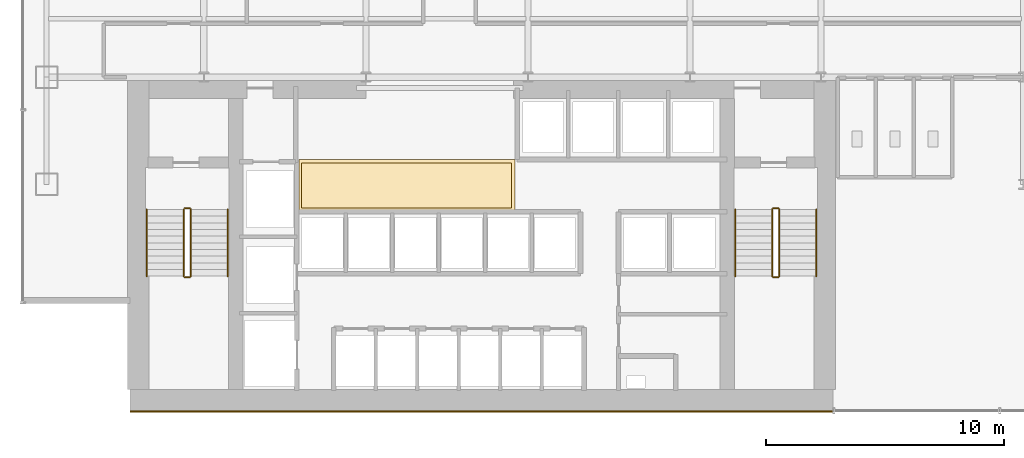
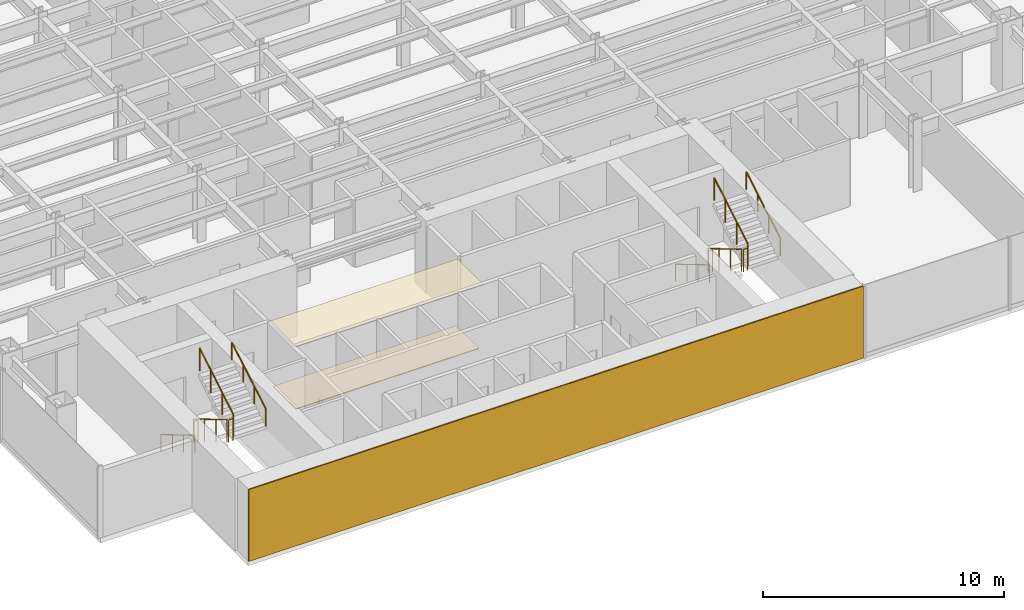
# One storey, part 20 of 22: 12 railings, 3 coverings.
"""IFC4 building model written with IfcOpenShell, lengths in metres."""

from ifc_helpers import new_model, si_unit, derived_unit, direction, frame, origin, origin_2d, place, context, subcontext, project, spatial, polyline, rectangle, circle, outline, extrude, source, transform, mapped, material, layer, layer_set, type_object, element, save


model = new_model("IFC4")

# Units and contexts
model_context = context("Model", 3, precision=1e-05, world=origin(), true_north=direction((0.0, 1.0)))
body_context = subcontext(model_context, "Body", "Model", "MODEL_VIEW")
ifc_project = project(units=[si_unit("LENGTHUNIT", "METRE"), si_unit("AREAUNIT", "SQUARE_METRE"), si_unit("VOLUMEUNIT", "CUBIC_METRE"), si_unit("PLANEANGLEUNIT", "RADIAN"), si_unit("MASSUNIT", "GRAM", prefix="KILO"), derived_unit("THERMALTRANSMITTANCEUNIT", [(si_unit("POWERUNIT", "WATT"), 1), (si_unit("LENGTHUNIT", "METRE"), -2), (si_unit("THERMODYNAMICTEMPERATUREUNIT", "KELVIN"), -1)])], contexts=[model_context])

# Site, building, storey
site_placement = place(None, origin())
site = spatial("IfcSite", under=ifc_project, at=site_placement, CompositionType="ELEMENT")
building_placement = place(site_placement, origin())
building = spatial("IfcBuilding", under=site, at=building_placement, Name="Skarnbrae Concourse Arena and Tower", CompositionType="ELEMENT")
storey_placement = place(building_placement, frame((0.0, 0.0, 39.800048828125)))
storey = spatial("IfcBuildingStorey", under=building, at=storey_placement, Name="L08", CompositionType="ELEMENT", Elevation=39.800048828125)

# Coverings
ifc_material_1 = material(Name="Mineral fibre acoustic ceiling tile", Category="other")
ifc_layer_1 = layer(ifc_material_1, 0.0400390625)
ifc_layer_set_1 = layer_set([ifc_layer_1], Name="Mineral fibre acoustic ceiling tile")
covering_type_1 = type_object("IfcCoveringType", Name="COV-CEIL-ACOUSTIC", PredefinedType="CEILING", material=ifc_layer_set_1)
covering_1_placement = place(storey_placement, frame((0.0, 0.0, 3.239990234375)))
element("IfcCovering", 1, at=covering_1_placement, inside=storey, type_object=covering_type_1, Name="L08 Lift lobby acoustic ceiling", PredefinedType="CEILING", context=body_context, shape_type="SweptSolid", body=[
    extrude(outline(polyline([(11.60009765625, 8.39990234375), (20.64990234375, 8.39990234375), (20.64990234375, 10.550048828125), (11.60009765625, 10.550048828125), (11.60009765625, 8.39990234375)])), origin(), (0.0, 0.0, 1.0), 0.0400390625),
])
ifc_material_2 = material(Name="Polished granite terrazzo flooring", Category="masonry")
ifc_layer_2 = layer(ifc_material_2, 0.0400390625)
ifc_layer_set_2 = layer_set([ifc_layer_2], Name="Polished granite terrazzo flooring")
covering_type_2 = type_object("IfcCoveringType", Name="COV-FLOOR-TERRAZZO", PredefinedType="FLOORING", material=ifc_layer_set_2)
covering_2_placement = place(storey_placement, origin())
element("IfcCovering", 2, at=covering_2_placement, inside=storey, type_object=covering_type_2, Name="L08 Lift lobby terrazzo flooring", PredefinedType="FLOORING", context=body_context, shape_type="SweptSolid", body=[
    extrude(outline(polyline([(11.699951171875, 8.5), (20.5, 8.5), (20.5, 10.39990234375), (11.699951171875, 10.39990234375), (11.699951171875, 8.5)])), origin(), (0.0, 0.0, 1.0), 0.0400390625),
])

# Railings
ifc_material_3 = material(Name="Steel CSA G40.21 350W", Category="steel")
railing_type_1 = type_object("IfcRailingType", Name="RAIL-HANDRAIL-900", PredefinedType="HANDRAIL", material=ifc_material_3)
railing_1_placement = place(storey_placement, frame((5.199951171875, 8.449951171875, 0.165771484375)))
element("IfcRailing", 3, at=railing_1_placement, inside=storey, type_object=railing_type_1, Name="L08 ST-1 stair handrail 1", PredefinedType="HANDRAIL", context=body_context, shape_type="SweptSolid", body=[
    extrude(circle(Radius=0.02392578125, at=origin_2d()), frame((0.0, 0.0, 0.8759765625), z_axis=(0.0, -0.860306154799, 0.50977771628), x_axis=(1.0, 0.0, 0.0)), (0.0, 0.0, 1.0), 3.254638671875),
    extrude(circle(Radius=0.02099609375, at=origin_2d()), origin(), (0.0, 0.0, 1.0), 0.851806640625),
    extrude(circle(Radius=0.02099609375, at=origin_2d()), frame((0.0, -0.933349609375, 0.552978515625)), (0.0, 0.0, 1.0), 0.851806640625),
    extrude(circle(Radius=0.02099609375, at=origin_2d()), frame((0.0, -1.86669921875, 1.106201171875)), (0.0, 0.0, 1.0), 0.851806640625),
    extrude(circle(Radius=0.02099609375, at=origin_2d()), frame((0.0, -2.800048828125, 1.6591796875)), (0.0, 0.0, 1.0), 0.851806640625),
])
railing_2_placement = place(storey_placement, frame((8.60009765625, 5.64990234375, 1.990966796875)))
element("IfcRailing", 4, at=railing_2_placement, inside=storey, type_object=railing_type_1, Name="L08 ST-1 stair handrail 2", PredefinedType="HANDRAIL", context=body_context, shape_type="SweptSolid", body=[
    extrude(circle(Radius=0.02392578125, at=origin_2d()), frame((0.0, 0.0, 0.8759765625), z_axis=(0.0, 0.860339051648, 0.50972219513), x_axis=(-1.0, 0.0, 0.0)), (0.0, 0.0, 1.0), 3.254638671875),
    extrude(circle(Radius=0.02099609375, at=origin_2d()), origin(), (0.0, 0.0, 1.0), 0.851806640625),
    extrude(circle(Radius=0.02099609375, at=origin_2d()), frame((0.0, 0.933349609375, 0.552978515625)), (0.0, 0.0, 1.0), 0.851806640625),
    extrude(circle(Radius=0.02099609375, at=origin_2d()), frame((0.0, 1.86669921875, 1.10595703125)), (0.0, 0.0, 1.0), 0.851806640625),
    extrude(circle(Radius=0.02099609375, at=origin_2d()), frame((0.0, 2.800048828125, 1.658935546875)), (0.0, 0.0, 1.0), 0.851806640625),
])
railing_3_placement = place(storey_placement, frame((29.89990234375, 8.449951171875, 0.165771484375)))
element("IfcRailing", 5, at=railing_3_placement, inside=storey, type_object=railing_type_1, Name="L08 ST-2 stair handrail 1", PredefinedType="HANDRAIL", context=body_context, shape_type="SweptSolid", body=[
    extrude(circle(Radius=0.02392578125, at=origin_2d()), frame((0.0, 0.0, 0.8759765625), z_axis=(0.0, -0.860306154799, 0.50977771628), x_axis=(1.0, 0.0, 0.0)), (0.0, 0.0, 1.0), 3.254638671875),
    extrude(circle(Radius=0.02099609375, at=origin_2d()), origin(), (0.0, 0.0, 1.0), 0.851806640625),
    extrude(circle(Radius=0.02099609375, at=origin_2d()), frame((0.0, -0.933349609375, 0.552978515625)), (0.0, 0.0, 1.0), 0.851806640625),
    extrude(circle(Radius=0.02099609375, at=origin_2d()), frame((0.0, -1.86669921875, 1.106201171875)), (0.0, 0.0, 1.0), 0.851806640625),
    extrude(circle(Radius=0.02099609375, at=origin_2d()), frame((0.0, -2.800048828125, 1.6591796875)), (0.0, 0.0, 1.0), 0.851806640625),
])
railing_4_placement = place(storey_placement, frame((33.300048828125, 5.64990234375, 1.990966796875)))
element("IfcRailing", 6, at=railing_4_placement, inside=storey, type_object=railing_type_1, Name="L08 ST-2 stair handrail 2", PredefinedType="HANDRAIL", context=body_context, shape_type="SweptSolid", body=[
    extrude(circle(Radius=0.02392578125, at=origin_2d()), frame((0.0, 0.0, 0.8759765625), z_axis=(0.0, 0.860339051648, 0.50972219513), x_axis=(-1.0, 0.0, 0.0)), (0.0, 0.0, 1.0), 3.254638671875),
    extrude(circle(Radius=0.02099609375, at=origin_2d()), origin(), (0.0, 0.0, 1.0), 0.851806640625),
    extrude(circle(Radius=0.02099609375, at=origin_2d()), frame((0.0, 0.933349609375, 0.552978515625)), (0.0, 0.0, 1.0), 0.851806640625),
    extrude(circle(Radius=0.02099609375, at=origin_2d()), frame((0.0, 1.86669921875, 1.10595703125)), (0.0, 0.0, 1.0), 0.851806640625),
    extrude(circle(Radius=0.02099609375, at=origin_2d()), frame((0.0, 2.800048828125, 1.658935546875)), (0.0, 0.0, 1.0), 0.851806640625),
])
railing_type_2 = type_object("IfcRailingType", Name="RAIL-STAIR-GUARD-1150", PredefinedType="GUARDRAIL", material=ifc_material_3)
railing_5_placement = place(storey_placement, frame((6.75, 8.449951171875, 0.165771484375)))
element("IfcRailing", 7, at=railing_5_placement, inside=storey, type_object=railing_type_2, Name="L08 ST-1 stair guard 1", PredefinedType="GUARDRAIL", context=body_context, shape_type="SweptSolid", body=[
    extrude(circle(Radius=0.02392578125, at=origin_2d()), frame((0.0, 0.0, 1.1259765625), z_axis=(0.0, -0.860306154799, 0.50977771628), x_axis=(1.0, 0.0, 0.0)), (0.0, 0.0, 1.0), 3.254638671875),
    extrude(circle(Radius=0.02099609375, at=origin_2d()), origin(), (0.0, 0.0, 1.0), 1.101806640625),
    extrude(circle(Radius=0.02099609375, at=origin_2d()), frame((0.0, -0.933349609375, 0.552978515625)), (0.0, 0.0, 1.0), 1.101806640625),
    extrude(circle(Radius=0.02099609375, at=origin_2d()), frame((0.0, -1.86669921875, 1.106201171875)), (0.0, 0.0, 1.0), 1.101806640625),
    extrude(circle(Radius=0.02099609375, at=origin_2d()), frame((0.0, -2.800048828125, 1.6591796875)), (0.0, 0.0, 1.0), 1.101806640625),
])
railing_6_placement = place(storey_placement, frame((6.800048828125, 5.60009765625, 1.824951171875)))
element("IfcRailing", 8, at=railing_6_placement, inside=storey, type_object=railing_type_2, Name="L08 ST-1 stair guard 2", PredefinedType="GUARDRAIL", context=body_context, shape_type="SweptSolid", body=[
    extrude(circle(Radius=0.02392578125, at=origin_2d()), frame((0.0, 0.0, 1.1259765625), z_axis=(1.0, 0.0, 0.0), x_axis=(0.0, 1.0, 0.0)), (0.0, 0.0, 1.0), 0.199951171875),
    extrude(circle(Radius=0.02099609375, at=origin_2d()), origin(), (0.0, 0.0, 1.0), 1.101806640625),
    extrude(circle(Radius=0.02099609375, at=origin_2d()), frame((0.199951171875, 0.0, 0.0)), (0.0, 0.0, 1.0), 1.101806640625),
])
railing_7_placement = place(storey_placement, frame((7.050048828125, 5.64990234375, 1.990966796875)))
element("IfcRailing", 9, at=railing_7_placement, inside=storey, type_object=railing_type_2, Name="L08 ST-1 stair guard 3", PredefinedType="GUARDRAIL", context=body_context, shape_type="SweptSolid", body=[
    extrude(circle(Radius=0.02392578125, at=origin_2d()), frame((0.0, 0.0, 1.1259765625), z_axis=(0.0, 0.860339051648, 0.50972219513), x_axis=(-1.0, 0.0, 0.0)), (0.0, 0.0, 1.0), 3.254638671875),
    extrude(circle(Radius=0.02099609375, at=origin_2d()), origin(), (0.0, 0.0, 1.0), 1.101806640625),
    extrude(circle(Radius=0.02099609375, at=origin_2d()), frame((0.0, 0.933349609375, 0.552978515625)), (0.0, 0.0, 1.0), 1.101806640625),
    extrude(circle(Radius=0.02099609375, at=origin_2d()), frame((0.0, 1.86669921875, 1.10595703125)), (0.0, 0.0, 1.0), 1.101806640625),
    extrude(circle(Radius=0.02099609375, at=origin_2d()), frame((0.0, 2.800048828125, 1.658935546875)), (0.0, 0.0, 1.0), 1.101806640625),
])
railing_8_placement = place(storey_placement, frame((6.800048828125, 8.5, 0.0)))
element("IfcRailing", 10, at=railing_8_placement, inside=storey, type_object=railing_type_2, Name="L08 ST-1 stair guard 4", PredefinedType="GUARDRAIL", context=body_context, shape_type="SweptSolid", body=[
    extrude(circle(Radius=0.02392578125, at=origin_2d()), frame((0.0, 0.0, 1.1259765625), z_axis=(1.0, 0.0, 0.0), x_axis=(0.0, 1.0, 0.0)), (0.0, 0.0, 1.0), 0.199951171875),
    extrude(circle(Radius=0.02099609375, at=origin_2d()), origin(), (0.0, 0.0, 1.0), 1.101806640625),
    extrude(circle(Radius=0.02099609375, at=origin_2d()), frame((0.199951171875, 0.0, 0.0)), (0.0, 0.0, 1.0), 1.101806640625),
])
railing_9_placement = place(storey_placement, frame((31.449951171875, 8.449951171875, 0.165771484375)))
element("IfcRailing", 11, at=railing_9_placement, inside=storey, type_object=railing_type_2, Name="L08 ST-2 stair guard 1", PredefinedType="GUARDRAIL", context=body_context, shape_type="SweptSolid", body=[
    extrude(circle(Radius=0.02392578125, at=origin_2d()), frame((0.0, 0.0, 1.1259765625), z_axis=(0.0, -0.860306154799, 0.50977771628), x_axis=(1.0, 0.0, 0.0)), (0.0, 0.0, 1.0), 3.254638671875),
    extrude(circle(Radius=0.02099609375, at=origin_2d()), origin(), (0.0, 0.0, 1.0), 1.101806640625),
    extrude(circle(Radius=0.02099609375, at=origin_2d()), frame((0.0, -0.933349609375, 0.552978515625)), (0.0, 0.0, 1.0), 1.101806640625),
    extrude(circle(Radius=0.02099609375, at=origin_2d()), frame((0.0, -1.86669921875, 1.106201171875)), (0.0, 0.0, 1.0), 1.101806640625),
    extrude(circle(Radius=0.02099609375, at=origin_2d()), frame((0.0, -2.800048828125, 1.6591796875)), (0.0, 0.0, 1.0), 1.101806640625),
])
railing_10_placement = place(storey_placement, frame((31.5, 5.60009765625, 1.824951171875)))
element("IfcRailing", 12, at=railing_10_placement, inside=storey, type_object=railing_type_2, Name="L08 ST-2 stair guard 2", PredefinedType="GUARDRAIL", context=body_context, shape_type="SweptSolid", body=[
    extrude(circle(Radius=0.02392578125, at=origin_2d()), frame((0.0, 0.0, 1.1259765625), z_axis=(1.0, 0.0, 0.0), x_axis=(0.0, 1.0, 0.0)), (0.0, 0.0, 1.0), 0.199951171875),
    extrude(circle(Radius=0.02099609375, at=origin_2d()), origin(), (0.0, 0.0, 1.0), 1.101806640625),
    extrude(circle(Radius=0.02099609375, at=origin_2d()), frame((0.199951171875, 0.0, 0.0)), (0.0, 0.0, 1.0), 1.101806640625),
])
railing_11_placement = place(storey_placement, frame((31.75, 5.64990234375, 1.990966796875)))
element("IfcRailing", 13, at=railing_11_placement, inside=storey, type_object=railing_type_2, Name="L08 ST-2 stair guard 3", PredefinedType="GUARDRAIL", context=body_context, shape_type="SweptSolid", body=[
    extrude(circle(Radius=0.02392578125, at=origin_2d()), frame((0.0, 0.0, 1.1259765625), z_axis=(0.0, 0.860339051648, 0.50972219513), x_axis=(-1.0, 0.0, 0.0)), (0.0, 0.0, 1.0), 3.254638671875),
    extrude(circle(Radius=0.02099609375, at=origin_2d()), origin(), (0.0, 0.0, 1.0), 1.101806640625),
    extrude(circle(Radius=0.02099609375, at=origin_2d()), frame((0.0, 0.933349609375, 0.552978515625)), (0.0, 0.0, 1.0), 1.101806640625),
    extrude(circle(Radius=0.02099609375, at=origin_2d()), frame((0.0, 1.86669921875, 1.10595703125)), (0.0, 0.0, 1.0), 1.101806640625),
    extrude(circle(Radius=0.02099609375, at=origin_2d()), frame((0.0, 2.800048828125, 1.658935546875)), (0.0, 0.0, 1.0), 1.101806640625),
])
railing_12_placement = place(storey_placement, frame((31.5, 8.5, 0.0)))
element("IfcRailing", 14, at=railing_12_placement, inside=storey, type_object=railing_type_2, Name="L08 ST-2 stair guard 4", PredefinedType="GUARDRAIL", context=body_context, shape_type="SweptSolid", body=[
    extrude(circle(Radius=0.02392578125, at=origin_2d()), frame((0.0, 0.0, 1.1259765625), z_axis=(1.0, 0.0, 0.0), x_axis=(0.0, 1.0, 0.0)), (0.0, 0.0, 1.0), 0.199951171875),
    extrude(circle(Radius=0.02099609375, at=origin_2d()), origin(), (0.0, 0.0, 1.0), 1.101806640625),
    extrude(circle(Radius=0.02099609375, at=origin_2d()), frame((0.199951171875, 0.0, 0.0)), (0.0, 0.0, 1.0), 1.101806640625),
])

# Covering
ifc_material_4 = material(Name="Bronze anodised aluminium 6063-T6", Category="aluminium")
ifc_layer_3 = layer(ifc_material_4, 0.06005859375)
ifc_layer_set_3 = layer_set([ifc_layer_3], Name="Bronze anodised aluminium 6063-T6")
covering_type_3 = type_object("IfcCoveringType", Name="COV-CLAD-BRONZE-60", PredefinedType="CLADDING", material=ifc_layer_set_3)
shared_shape = source(origin(), body_context, "Body", "SweptSolid", [
    extrude(rectangle(XDim=29.5, YDim=0.06005859375, at=origin_2d()), origin(), (0.0, 0.0, 1.0), 3.64990234375),
])
covering_3_placement = place(storey_placement, frame((19.25, -0.030029296875, 0.0), z_axis=(0.0, 0.0, 1.0), x_axis=(1.0, 0.0, 0.0)))
element("IfcCovering", 15, at=covering_3_placement, inside=storey, type_object=covering_type_3, Name="L08 Rear-core plumb spine bronze rainscreen panel", PredefinedType="CLADDING", context=body_context, shape_type="MappedRepresentation", body=[
    mapped(shared_shape, transform((0.0, 0.0, 0.0))),
])

save(model, "model.ifc")
